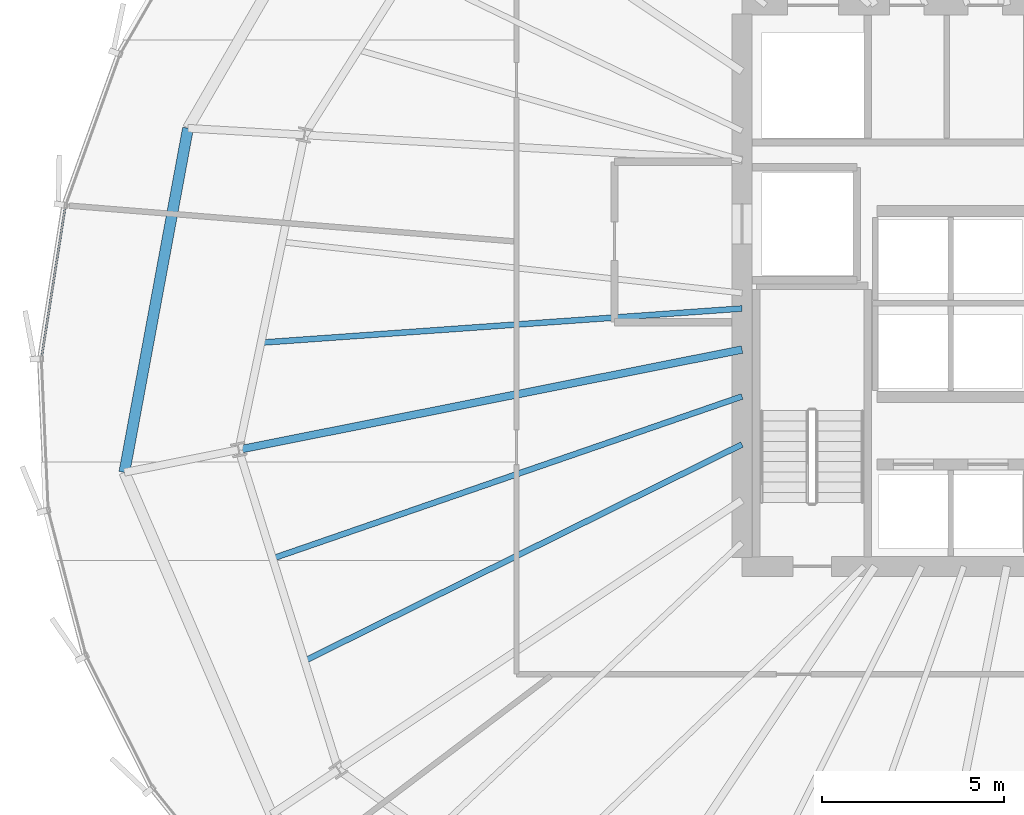
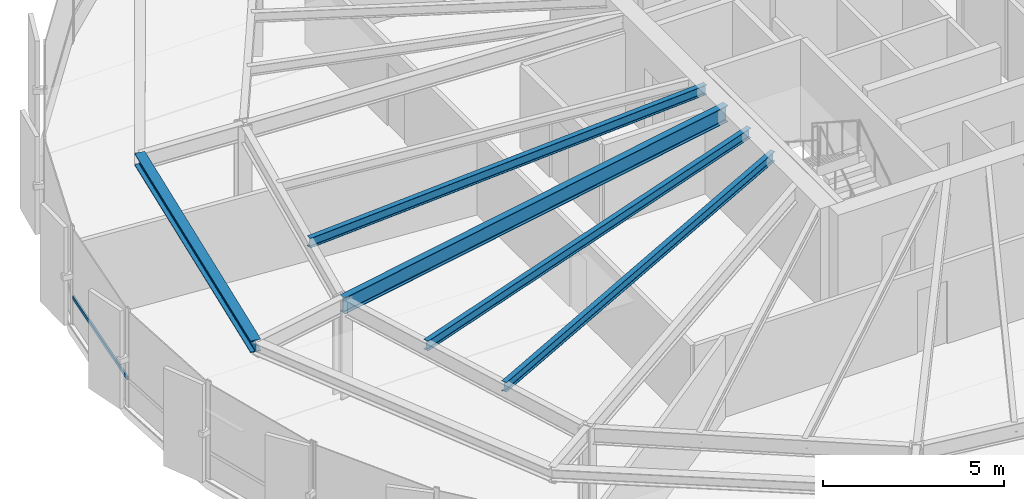
# One storey, part 9 of 33: 5 beams, 1 member, 1 element without a shape of its own.
"""IFC4 building model written with IfcOpenShell, lengths in metres."""

from ifc_helpers import new_model, si_unit, direction, frame, origin, origin_2d, place, context, subcontext, project, spatial, hollow_rectangle, i_section, extrude, source, transform, mapped, material, layer, layer_set, material_profile, profile_set, type_object, element, aggregate, save


model = new_model("IFC4")

# Units and contexts
model_context = context("Model", 3, precision=1e-05, world=origin(), true_north=direction((0.0, 1.0)))
body_context = subcontext(model_context, "Body", "Model", "MODEL_VIEW")
ifc_project = project(units=[si_unit("LENGTHUNIT", "METRE"), si_unit("AREAUNIT", "SQUARE_METRE"), si_unit("VOLUMEUNIT", "CUBIC_METRE"), si_unit("PLANEANGLEUNIT", "RADIAN"), si_unit("MASSUNIT", "GRAM", prefix="KILO"), si_unit("THERMODYNAMICTEMPERATUREUNIT", "KELVIN")], contexts=[model_context])

# Site, building, storey
site_placement = place(None, origin())
site = spatial("IfcSite", under=ifc_project, at=site_placement, CompositionType="ELEMENT")
building_placement = place(site_placement, origin())
building = spatial("IfcBuilding", under=site, at=building_placement, Name="Kethvar Cultural Tower", CompositionType="ELEMENT")
storey_placement = place(building_placement, frame((0.0, 0.0, 118.0)))
storey = spatial("IfcBuildingStorey", under=building, at=storey_placement, Name="L29", CompositionType="ELEMENT", Elevation=118.0)

# Beams
ifc_material_1 = material(Name="Steel S355J2", Category="steel")
ifc_material_profile_1 = material_profile(ifc_material_1, i_section(OverallWidth=0.2099609375, OverallDepth=0.550048828125, WebThickness=0.010986328125, FlangeThickness=0.01708984375, FilletRadius=0.02392578125, at=origin_2d()), Name="Steel S355J2 — IPE550")
ifc_profile_set_1 = profile_set([ifc_material_profile_1], Name="Steel S355J2 — IPE550")
beam_type_1 = type_object("IfcBeamType", Name="BM-IPE550", PredefinedType="BEAM", material=ifc_profile_set_1)
shared_shape_1 = source(origin(), body_context, "Body", "SweptSolid", [
    extrude(i_section(OverallWidth=0.2099609375, OverallDepth=0.550048828125, WebThickness=0.010986328125, FlangeThickness=0.01708984375, FilletRadius=0.02392578125, at=origin_2d()), origin(), (0.0, 0.0, 1.0), 14.085205078125),
])
beam_1_placement = place(storey_placement, frame((38.0, 26.049560546875, 3.072998046875), z_axis=(-0.98078679373, -0.195082713854, 0.0), x_axis=(0.195082713854, -0.98078679373, 0.0)))
element("IfcBeam", 1, at=beam_1_placement, inside=storey, type_object=beam_type_1, Name="L29 Primary Radial Beam RB-09", PredefinedType="BEAM", context=body_context, shape_type="MappedRepresentation", body=[
    mapped(shared_shape_1, transform((0.0, 0.0, 0.0), scale=1.0)),
])
ifc_material_profile_2 = material_profile(ifc_material_1, i_section(OverallWidth=0.300048828125, OverallDepth=0.39990234375, WebThickness=0.013427734375, FlangeThickness=0.02392578125, FilletRadius=0.027099609375, at=origin_2d()), Name="Steel S355J2 — HEB400")
ifc_profile_set_2 = profile_set([ifc_material_profile_2], Name="Steel S355J2 — HEB400")
beam_type_2 = type_object("IfcBeamType", Name="BM-SP400", PredefinedType="SPANDREL", material=ifc_profile_set_2)
shared_shape_2 = source(origin(), body_context, "Body", "SweptSolid", [
    extrude(i_section(OverallWidth=0.300048828125, OverallDepth=0.39990234375, WebThickness=0.013427734375, FlangeThickness=0.02392578125, FilletRadius=0.027099609375, at=origin_2d()), origin(), (0.0, 0.0, 1.0), 9.605712890625),
])
beam_2_placement = place(storey_placement, frame((22.793701171875, 32.123046875, 3.14794921875), z_axis=(-0.1818526217, -0.983325797476, 0.0), x_axis=(0.983325797476, -0.1818526217, 0.0)))
element("IfcBeam", 2, at=beam_2_placement, inside=storey, type_object=beam_type_2, Name="L29 Perimeter Spandrel Beam SP-08", PredefinedType="SPANDREL", context=body_context, shape_type="MappedRepresentation", body=[
    mapped(shared_shape_2, transform((0.0, 0.0, 0.0), scale=1.0)),
])
ifc_material_profile_3 = material_profile(ifc_material_1, i_section(OverallWidth=0.159912109375, OverallDepth=0.330078125, WebThickness=0.007568359375, FlangeThickness=0.011474609375, FilletRadius=0.01806640625, at=origin_2d()), Name="Steel S355J2 — IPE330")
ifc_profile_set_3 = profile_set([ifc_material_profile_3], Name="Steel S355J2 — IPE330")
beam_type_3 = type_object("IfcBeamType", Name="BM-J330", PredefinedType="JOIST", material=ifc_profile_set_3)
shared_shape_3 = source(origin(), body_context, "Body", "SweptSolid", [
    extrude(i_section(OverallWidth=0.159912109375, OverallDepth=0.330078125, WebThickness=0.007568359375, FlangeThickness=0.011474609375, FilletRadius=0.01806640625, at=origin_2d()), origin(), (0.0, 0.0, 1.0), 13.234619140625),
])
beam_3_placement = place(storey_placement, frame((38.0, 27.175537109375, 3.18310546875), z_axis=(-0.997490530945, -0.070800004767, 0.0), x_axis=(0.070800004767, -0.997490530945, 0.0)))
element("IfcBeam", 3, at=beam_3_placement, inside=storey, type_object=beam_type_3, Name="L29 Composite Floor Joist J-08B", PredefinedType="JOIST", context=body_context, shape_type="MappedRepresentation", body=[
    mapped(shared_shape_3, transform((0.0, 0.0, 0.0), scale=1.0)),
])
shared_shape_4 = source(origin(), body_context, "Body", "SweptSolid", [
    extrude(i_section(OverallWidth=0.159912109375, OverallDepth=0.330078125, WebThickness=0.007568359375, FlangeThickness=0.011474609375, FilletRadius=0.01806640625, at=origin_2d()), origin(), (0.0, 0.0, 1.0), 13.630615234375),
])
beam_4_placement = place(storey_placement, frame((38.0, 24.762451171875, 3.18310546875), z_axis=(-0.945269577646, -0.326290400682, 0.0), x_axis=(0.326290400682, -0.945269577646, 0.0)))
element("IfcBeam", 4, at=beam_4_placement, inside=storey, type_object=beam_type_3, Name="L29 Composite Floor Joist J-09A", PredefinedType="JOIST", context=body_context, shape_type="MappedRepresentation", body=[
    mapped(shared_shape_4, transform((0.0, 0.0, 0.0), scale=1.0)),
])
shared_shape_5 = source(origin(), body_context, "Body", "SweptSolid", [
    extrude(i_section(OverallWidth=0.159912109375, OverallDepth=0.330078125, WebThickness=0.007568359375, FlangeThickness=0.011474609375, FilletRadius=0.01806640625, at=origin_2d()), origin(), (0.0, 0.0, 1.0), 13.39892578125),
])
beam_5_placement = place(storey_placement, frame((38.0, 23.44580078125, 3.18310546875), z_axis=(-0.896292467417, -0.44346342899, 0.0), x_axis=(0.44346342899, -0.896292467417, 0.0)))
element("IfcBeam", 5, at=beam_5_placement, inside=storey, type_object=beam_type_3, Name="L29 Composite Floor Joist J-09B", PredefinedType="JOIST", context=body_context, shape_type="MappedRepresentation", body=[
    mapped(shared_shape_5, transform((0.0, 0.0, 0.0), scale=1.0)),
])

# Curtain wall, member
ifc_material_2 = material(Name="Aluminium 6063-T6", Category="aluminium")
ifc_layer = layer(ifc_material_2, 0.179931640625, Name="Aluminium 6063-T6", Category="aluminium")
ifc_layer_set = layer_set([ifc_layer], Name="Aluminium 6063-T6 (180 mm)")
curtain_wall_type = type_object("IfcCurtainWallType", Name="CW-SYS-03-Z2", PredefinedType="NOTDEFINED", material=ifc_layer_set)
curtain_wall_placement = place(storey_placement, origin())
curtain_wall = element("IfcCurtainWall", 6, at=curtain_wall_placement, inside=storey, type_object=curtain_wall_type, Name="L29 Curtain Wall Run 03", PredefinedType="NOTDEFINED")
ifc_material_profile_4 = material_profile(ifc_material_2, hollow_rectangle(XDim=0.054931640625, YDim=0.1201171875, WallThickness=0.00390625, at=origin_2d()), Name="Aluminium 6063-T6 — RHS120x55x4")
ifc_profile_set_4 = profile_set([ifc_material_profile_4], Name="Aluminium 6063-T6 — RHS120x55x4")
member_type = type_object("IfcMemberType", Name="CW-SYS-03-Z2-TRN", PredefinedType="USERDEFINED", material=ifc_profile_set_4)
shared_shape_6 = source(origin(), body_context, "Body", "SweptSolid", [
    extrude(hollow_rectangle(XDim=0.054931640625, YDim=0.1201171875, WallThickness=0.00390625, at=origin_2d()), origin(), (0.0, 0.0, 1.0), 4.201171875),
])
member_placement = place(storey_placement, frame((19.4248046875, 29.964111328125, 0.949951171875), z_axis=(-0.155279153322, -0.987870631481, 0.0), x_axis=(0.987870631481, -0.155279153322, 0.0)))
member = element("IfcMember", 7, at=member_placement, type_object=member_type, Name="CW-L29-R03 Transom 4", ObjectType="TRANSOM", PredefinedType="USERDEFINED", context=body_context, shape_type="MappedRepresentation", body=[
    mapped(shared_shape_6, transform((0.0, 0.0, 0.0), scale=1.0)),
])
aggregate(curtain_wall, [member])

save(model, "model.ifc")
